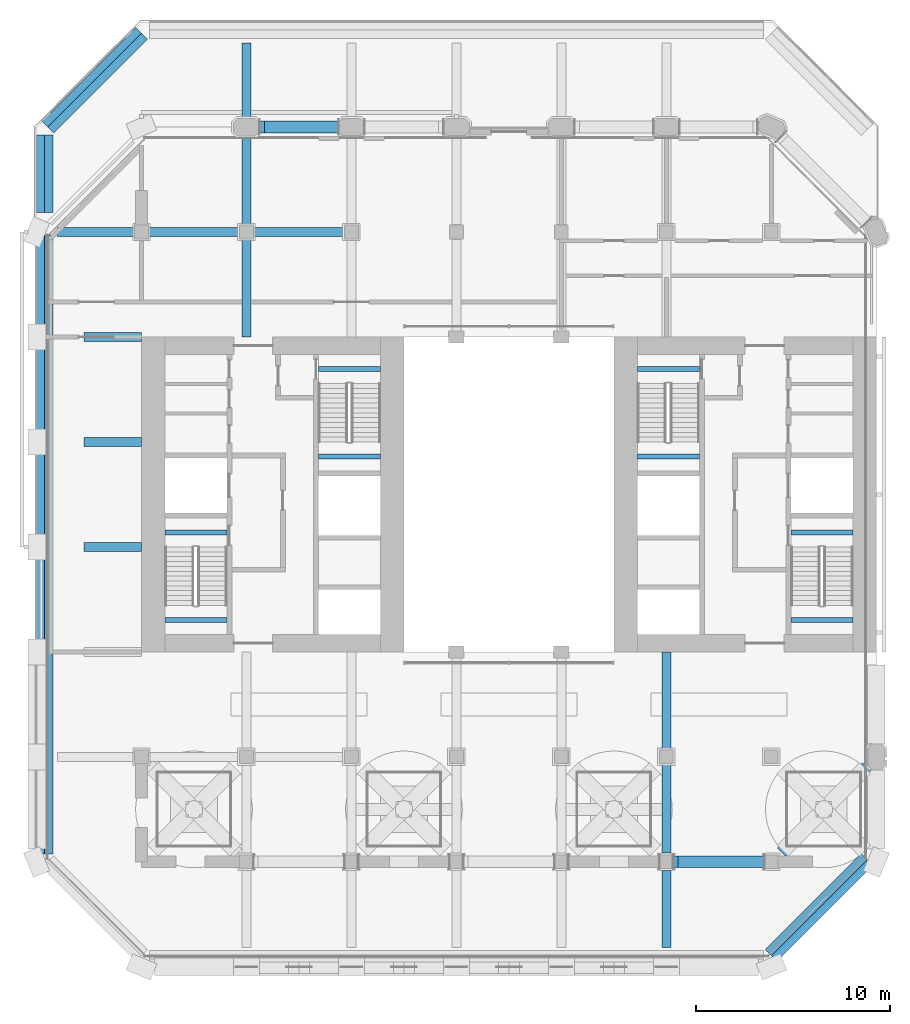
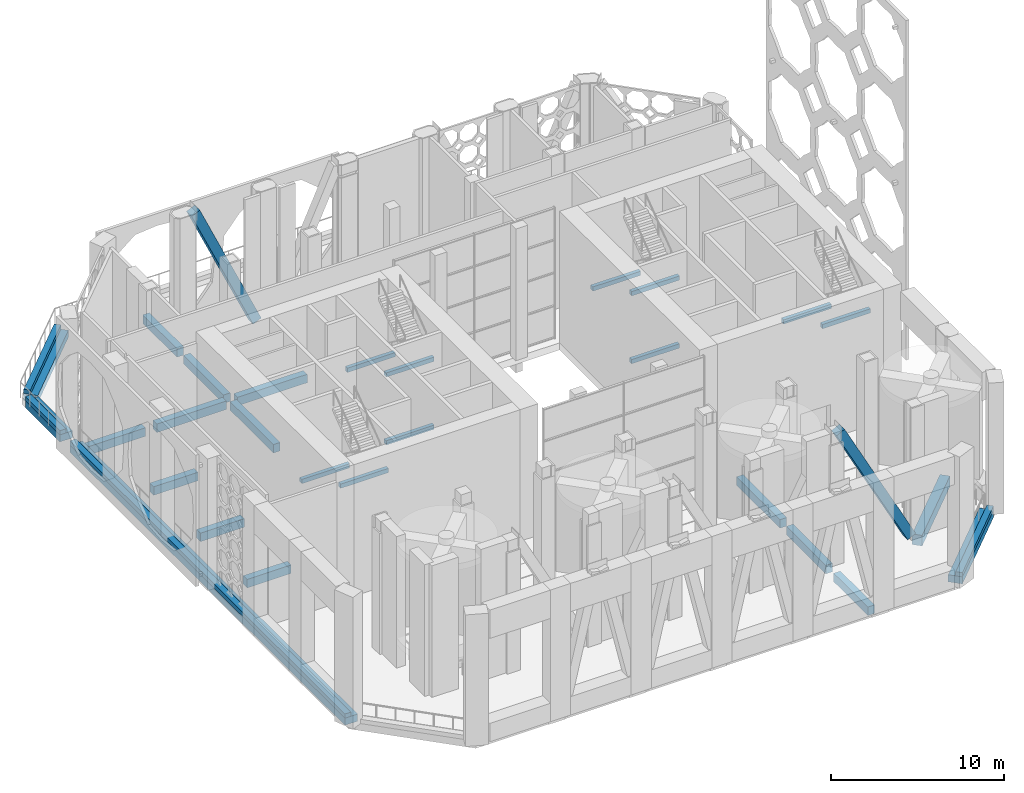
# One storey, part 3 of 28: 31 beams, 2 members.
"""IFC4 building model written with IfcOpenShell, lengths in metres."""

from ifc_helpers import new_model, si_unit, direction, frame, origin, origin_2d, place, context, subcontext, project, spatial, rectangle, extrude, material, material_profile, profile_set, type_object, element, save


model = new_model("IFC4")

# Units and contexts
model_context = context("Model", 3, precision=1e-05, world=origin(), true_north=direction((0.0, 1.0)))
body_context = subcontext(model_context, "Body", "Model", "MODEL_VIEW")
ifc_project = project(units=[si_unit("LENGTHUNIT", "METRE"), si_unit("AREAUNIT", "SQUARE_METRE"), si_unit("VOLUMEUNIT", "CUBIC_METRE"), si_unit("PLANEANGLEUNIT", "RADIAN"), si_unit("MASSUNIT", "GRAM", prefix="KILO")], contexts=[model_context])

# Site, building, storey
site_placement = place(None, origin())
site = spatial("IfcSite", under=ifc_project, at=site_placement, CompositionType="ELEMENT")
building_placement = place(site_placement, origin())
building = spatial("IfcBuilding", under=site, at=building_placement, Name="Tabaq Tower and Sports Hall", CompositionType="ELEMENT")
storey_placement = place(building_placement, frame((0.0, 0.0, 233.5)))
storey = spatial("IfcBuildingStorey", under=building, at=storey_placement, Name="L59", CompositionType="ELEMENT", Elevation=233.5)

# Beams
ifc_material_1 = material(Name="Concrete C40/50", Category="concrete")
ifc_material_profile_1 = material_profile(ifc_material_1, rectangle(XDim=0.449951171875, YDim=0.60009765625, at=origin_2d()), Name="CB 450x600")
ifc_profile_set_1 = profile_set([ifc_material_profile_1], Name="Concrete C40/50")
beam_type_1 = type_object("IfcBeamType", Name="PT CANTILEVER BEAM CB 450x600 C40/50", PredefinedType="BEAM", material=ifc_profile_set_1)
for number, where, z_axis, x_axis, name in (
    (1, (2.449951171875, 21.60009765625, -0.800048828125), (1.0, 0.0, 0.0), (0.0, 1.0, 0.0), "Cantilever Beam L59 W4 span 1"),
    (2, (2.449951171875, 27.0, -0.800048828125), (1.0, 0.0, 0.0), (0.0, 1.0, 0.0), "Cantilever Beam L59 W5 span 1"),
    (3, (2.449951171875, 32.39990234375, -0.800048828125), (1.0, 0.0, 0.0), (0.0, 1.0, 0.0), "Cantilever Beam L59 W6 span 1"),
):
    element("IfcBeam", number, at=place(storey_placement, frame(where, z_axis=z_axis, x_axis=x_axis)), inside=storey, type_object=beam_type_1, Name=name, PredefinedType="BEAM", context=body_context, shape_type="SweptSolid", body=[
        extrude(rectangle(XDim=0.449951171875, YDim=0.60009765625, at=origin_2d()), origin(), (0.0, 0.0, 1.0), 2.949951171875),
    ])
beam_1_placement = place(storey_placement, frame((1.074951171875, 37.800048828125, -0.800048828125), z_axis=(1.0, 0.0, 0.0), x_axis=(0.0, 1.0, 0.0)))
element("IfcBeam", 4, at=beam_1_placement, inside=storey, type_object=beam_type_1, Name="Cantilever Beam L59 W7 span 1", PredefinedType="BEAM", context=body_context, shape_type="SweptSolid", body=[
    extrude(rectangle(XDim=0.449951171875, YDim=0.60009765625, at=origin_2d()), origin(), (0.0, 0.0, 1.0), 3.949951171875),
])
beam_2_placement = place(storey_placement, frame((5.77490234375, 37.800048828125, -0.800048828125), z_axis=(1.0, 0.0, 0.0), x_axis=(0.0, 1.0, 0.0)))
element("IfcBeam", 5, at=beam_2_placement, inside=storey, type_object=beam_type_1, Name="Cantilever Beam L59 W7 span 2", PredefinedType="BEAM", context=body_context, shape_type="SweptSolid", body=[
    extrude(rectangle(XDim=0.449951171875, YDim=0.60009765625, at=origin_2d()), origin(), (0.0, 0.0, 1.0), 4.650146484375),
])
beam_3_placement = place(storey_placement, frame((11.175048828125, 37.800048828125, -0.800048828125), z_axis=(1.0, 0.0, 0.0), x_axis=(0.0, 1.0, 0.0)))
element("IfcBeam", 6, at=beam_3_placement, inside=storey, type_object=beam_type_1, Name="Cantilever Beam L59 W7 span 3", PredefinedType="BEAM", context=body_context, shape_type="SweptSolid", body=[
    extrude(rectangle(XDim=0.449951171875, YDim=0.60009765625, at=origin_2d()), origin(), (0.0, 0.0, 1.0), 4.64990234375),
])
beam_4_placement = place(storey_placement, frame((32.39990234375, 1.0, -0.800048828125), z_axis=(0.0, 1.0, 0.0), x_axis=(-1.0, 0.0, 0.0)))
element("IfcBeam", 7, at=beam_4_placement, inside=storey, type_object=beam_type_1, Name="Cantilever Beam L59 S6 span 1", PredefinedType="BEAM", context=body_context, shape_type="SweptSolid", body=[
    extrude(rectangle(XDim=0.449951171875, YDim=0.60009765625, at=origin_2d()), origin(), (0.0, 0.0, 1.0), 3.949951171875),
])
beam_5_placement = place(storey_placement, frame((32.39990234375, 5.85009765625, -0.800048828125), z_axis=(0.0, 1.0, 0.0), x_axis=(-1.0, 0.0, 0.0)))
element("IfcBeam", 8, at=beam_5_placement, inside=storey, type_object=beam_type_1, Name="Cantilever Beam L59 S6 span 2", PredefinedType="BEAM", context=body_context, shape_type="SweptSolid", body=[
    extrude(rectangle(XDim=0.449951171875, YDim=0.60009765625, at=origin_2d()), origin(), (0.0, 0.0, 1.0), 4.574951171875),
])
beam_6_placement = place(storey_placement, frame((32.39990234375, 11.175048828125, -0.800048828125), z_axis=(0.0, 1.0, 0.0), x_axis=(-1.0, 0.0, 0.0)))
element("IfcBeam", 9, at=beam_6_placement, inside=storey, type_object=beam_type_1, Name="Cantilever Beam L59 S6 span 3", PredefinedType="BEAM", context=body_context, shape_type="SweptSolid", body=[
    extrude(rectangle(XDim=0.449951171875, YDim=0.60009765625, at=origin_2d()), origin(), (0.0, 0.0, 1.0), 5.02490234375),
])
beam_7_placement = place(storey_placement, frame((10.800048828125, 47.52490234375, -0.800048828125), z_axis=(0.0, -1.0, 0.0), x_axis=(1.0, 0.0, 0.0)))
element("IfcBeam", 10, at=beam_7_placement, inside=storey, type_object=beam_type_1, Name="Cantilever Beam L59 N2 span 1", PredefinedType="BEAM", context=body_context, shape_type="SweptSolid", body=[
    extrude(rectangle(XDim=0.449951171875, YDim=0.60009765625, at=origin_2d()), origin(), (0.0, 0.0, 1.0), 3.949951171875),
])
beam_8_placement = place(storey_placement, frame((10.800048828125, 42.824951171875, -0.800048828125), z_axis=(0.0, -1.0, 0.0), x_axis=(1.0, 0.0, 0.0)))
element("IfcBeam", 11, at=beam_8_placement, inside=storey, type_object=beam_type_1, Name="Cantilever Beam L59 N2 span 2", PredefinedType="BEAM", context=body_context, shape_type="SweptSolid", body=[
    extrude(rectangle(XDim=0.449951171875, YDim=0.60009765625, at=origin_2d()), origin(), (0.0, 0.0, 1.0), 4.64990234375),
])
beam_9_placement = place(storey_placement, frame((10.800048828125, 37.425048828125, -0.800048828125), z_axis=(0.0, -1.0, 0.0), x_axis=(1.0, 0.0, 0.0)))
element("IfcBeam", 12, at=beam_9_placement, inside=storey, type_object=beam_type_1, Name="Cantilever Beam L59 N2 span 3", PredefinedType="BEAM", context=body_context, shape_type="SweptSolid", body=[
    extrude(rectangle(XDim=0.449951171875, YDim=0.60009765625, at=origin_2d()), origin(), (0.0, 0.0, 1.0), 5.025146484375),
])
ifc_material_2 = material(Name="Concrete C40/50", Category="concrete")
ifc_material_profile_2 = material_profile(ifc_material_2, rectangle(XDim=0.85009765625, YDim=0.5, at=origin_2d()), Name="EB 850x500")
ifc_profile_set_2 = profile_set([ifc_material_profile_2], Name="Concrete C40/50")
beam_type_2 = type_object("IfcBeamType", Name="PT EDGE BEAM EB 850x500 C40/50", PredefinedType="SPANDREL", material=ifc_profile_set_2)
beam_10_placement = place(storey_placement, frame((0.425048828125, 37.63818359375, -0.25), z_axis=(0.0, -1.0, 0.0), x_axis=(1.0, 0.0, 0.0)))
element("IfcBeam", 13, at=beam_10_placement, inside=storey, type_object=beam_type_2, Name="Edge Beam L59 1", PredefinedType="SPANDREL", context=body_context, shape_type="SweptSolid", body=[
    extrude(rectangle(XDim=0.85009765625, YDim=0.5, at=origin_2d()), origin(), (0.0, 0.0, 1.0), 31.836181640625),
])
beam_11_placement = place(storey_placement, frame((37.78369140625, 0.584716796875, -0.25), z_axis=(0.707106781187, 0.707106781187, 0.0), x_axis=(-0.707106781187, 0.707106781187, 0.0)))
element("IfcBeam", 14, at=beam_11_placement, inside=storey, type_object=beam_type_2, Name="Edge Beam L59 4", PredefinedType="SPANDREL", context=body_context, shape_type="SweptSolid", body=[
    extrude(rectangle(XDim=0.85009765625, YDim=0.5, at=origin_2d()), origin(), (0.0, 0.0, 1.0), 6.98486328125),
])
beam_12_placement = place(storey_placement, frame((5.416259765625, 48.01513671875, -0.25), z_axis=(-0.707124646667, -0.707088915255, 0.0), x_axis=(0.707088915255, -0.707124646667, 0.0)))
element("IfcBeam", 15, at=beam_12_placement, inside=storey, type_object=beam_type_2, Name="Edge Beam L59 7", PredefinedType="SPANDREL", context=body_context, shape_type="SweptSolid", body=[
    extrude(rectangle(XDim=0.85009765625, YDim=0.5, at=origin_2d()), origin(), (0.0, 0.0, 1.0), 6.832763671875),
])
beam_13_placement = place(storey_placement, frame((0.425048828125, 42.7978515625, -0.25), z_axis=(0.0, -1.0, 0.0), x_axis=(1.0, 0.0, 0.0)))
element("IfcBeam", 16, at=beam_13_placement, inside=storey, type_object=beam_type_2, Name="Edge Beam L59 8", PredefinedType="SPANDREL", context=body_context, shape_type="SweptSolid", body=[
    extrude(rectangle(XDim=0.85009765625, YDim=0.5, at=origin_2d()), origin(), (0.0, 0.0, 1.0), 3.98583984375),
])
ifc_material_3 = material(Name="Concrete C40/50", Category="concrete")
ifc_material_profile_3 = material_profile(ifc_material_3, rectangle(XDim=0.39990234375, YDim=0.300048828125, at=origin_2d()), Name="EU 400x300")
ifc_profile_set_3 = profile_set([ifc_material_profile_3], Name="Concrete C40/50")
beam_type_3 = type_object("IfcBeamType", Name="PT EDGE UPSTAND EU 400x300 C40/50", PredefinedType="BEAM", material=ifc_profile_set_3)
beam_14_placement = place(storey_placement, frame((0.199951171875, 37.63818359375, 0.14990234375), z_axis=(0.0, -1.0, 0.0), x_axis=(1.0, 0.0, 0.0)))
element("IfcBeam", 17, at=beam_14_placement, inside=storey, type_object=beam_type_3, Name="Edge Upstand L59 1", PredefinedType="BEAM", context=body_context, shape_type="SweptSolid", body=[
    extrude(rectangle(XDim=0.39990234375, YDim=0.300048828125, at=origin_2d()), origin(), (0.0, 0.0, 1.0), 31.836181640625),
])
beam_15_placement = place(storey_placement, frame((37.94287109375, 0.42578125, 0.14990234375), z_axis=(0.707106781187, 0.707106781187, 0.0), x_axis=(-0.707106781187, 0.707106781187, 0.0)))
element("IfcBeam", 18, at=beam_15_placement, inside=storey, type_object=beam_type_3, Name="Edge Upstand L59 4", PredefinedType="BEAM", context=body_context, shape_type="SweptSolid", body=[
    extrude(rectangle(XDim=0.39990234375, YDim=0.300048828125, at=origin_2d()), origin(), (0.0, 0.0, 1.0), 6.98486328125),
])
beam_16_placement = place(storey_placement, frame((5.257080078125, 48.17431640625, 0.14990234375), z_axis=(-0.707088915255, -0.707124646667, 0.0), x_axis=(0.707124646667, -0.707088915255, 0.0)))
element("IfcBeam", 19, at=beam_16_placement, inside=storey, type_object=beam_type_3, Name="Edge Upstand L59 7", PredefinedType="BEAM", context=body_context, shape_type="SweptSolid", body=[
    extrude(rectangle(XDim=0.39990234375, YDim=0.300048828125, at=origin_2d()), origin(), (0.0, 0.0, 1.0), 6.832763671875),
])
beam_17_placement = place(storey_placement, frame((0.199951171875, 42.7978515625, 0.14990234375), z_axis=(0.0, -1.0, 0.0), x_axis=(1.0, 0.0, 0.0)))
element("IfcBeam", 20, at=beam_17_placement, inside=storey, type_object=beam_type_3, Name="Edge Upstand L59 8", PredefinedType="BEAM", context=body_context, shape_type="SweptSolid", body=[
    extrude(rectangle(XDim=0.39990234375, YDim=0.300048828125, at=origin_2d()), origin(), (0.0, 0.0, 1.0), 3.98583984375),
])
ifc_material_4 = material(Name="Concrete C40/50", Category="concrete")
ifc_material_profile_4 = material_profile(ifc_material_4, rectangle(XDim=0.60009765625, YDim=0.75, at=origin_2d()), Name="TB 600x750")
ifc_profile_set_4 = profile_set([ifc_material_profile_4], Name="Concrete C40/50")
beam_type_4 = type_object("IfcBeamType", Name="PT TRIMMER BEAM TB 600x750 C40/50", PredefinedType="BEAM", material=ifc_profile_set_4)
beam_18_placement = place(storey_placement, frame((38.3017578125, 5.90185546875, -0.875), z_axis=(0.707126414588, 0.70708714724, 0.0), x_axis=(-0.70708714724, 0.707126414588, 0.0)))
element("IfcBeam", 21, at=beam_18_placement, inside=storey, type_object=beam_type_4, Name="Turbine Trimmer Beam 4", PredefinedType="BEAM", context=body_context, shape_type="SweptSolid", body=[
    extrude(rectangle(XDim=0.60009765625, YDim=0.75, at=origin_2d()), origin(), (0.0, 0.0, 1.0), 6.21728515625),
])

# Members
ifc_material_5 = material(Name="Concrete C40/50", Category="concrete")
ifc_material_profile_5 = material_profile(ifc_material_5, rectangle(XDim=0.60009765625, YDim=0.60009765625, at=origin_2d()), Name="BELT STRUT 600x600")
ifc_profile_set_5 = profile_set([ifc_material_profile_5], Name="Concrete C40/50")
member_type = type_object("IfcMemberType", Name="RC BELT TRUSS STRUT BELT STRUT 600x600 C40/50", PredefinedType="BRACE", material=ifc_profile_set_5)
member_1_placement = place(storey_placement, frame((15.554931640625, 43.199951171875, 0.1240234375), z_axis=(-0.41341249838, 0.0, 0.910543851873), x_axis=(0.0, -1.0, 0.0)))
element("IfcMember", 22, at=member_1_placement, inside=storey, type_object=member_type, Name="Belt Truss Strut L59 5", PredefinedType="BRACE", context=body_context, shape_type="SweptSolid", body=[
    extrude(rectangle(XDim=0.60009765625, YDim=0.60009765625, at=origin_2d()), origin(), (0.0, 0.0, 1.0), 9.94140625),
])
member_2_placement = place(storey_placement, frame((37.47998046875, 5.39990234375, 0.14013671875), z_axis=(-0.466725853903, 0.0, 0.884402045056), x_axis=(0.0, -1.0, 0.0)))
element("IfcMember", 23, at=member_2_placement, inside=storey, type_object=member_type, Name="Belt Truss Strut L59 10", PredefinedType="BRACE", context=body_context, shape_type="SweptSolid", body=[
    extrude(rectangle(XDim=0.60009765625, YDim=0.60009765625, at=origin_2d()), origin(), (0.0, 0.0, 1.0), 10.19873046875),
])

# Beams
ifc_material_6 = material(Name="Concrete C40/50", Category="concrete")
ifc_material_profile_6 = material_profile(ifc_material_6, rectangle(XDim=0.25, YDim=0.300048828125, at=origin_2d()), Name="RC 250x300")
ifc_profile_set_6 = profile_set([ifc_material_profile_6], Name="Concrete C40/50")
beam_type_5 = type_object("IfcBeamType", Name="Stair landing beam 250x300", PredefinedType="BEAM", material=ifc_profile_set_6)
for number, where, z_axis, x_axis, name in (
    (24, (6.60009765625, 22.35009765625, 4.449951171875), (1.0, 0.0, 0.0), (0.0, 1.0, 0.0), "L59 ST1 landing beam 2"),
    (25, (6.60009765625, 17.85009765625, 6.85009765625), (1.0, 0.0, 0.0), (0.0, 1.0, 0.0), "L59 ST1 landing beam 3"),
    (26, (14.5, 26.25, 2.050048828125), (1.0, 0.0, 0.0), (0.0, 1.0, 0.0), "L59 ST2 landing beam 1"),
    (27, (14.5, 30.75, 4.449951171875), (1.0, 0.0, 0.0), (0.0, 1.0, 0.0), "L59 ST2 landing beam 2"),
    (28, (14.5, 26.25, 6.85009765625), (1.0, 0.0, 0.0), (0.0, 1.0, 0.0), "L59 ST2 landing beam 3"),
    (29, (38.800048828125, 22.35009765625, 4.449951171875), (1.0, 0.0, 0.0), (0.0, 1.0, 0.0), "L59 ST3 landing beam 2"),
    (30, (38.800048828125, 17.85009765625, 6.85009765625), (1.0, 0.0, 0.0), (0.0, 1.0, 0.0), "L59 ST3 landing beam 3"),
):
    element("IfcBeam", number, at=place(storey_placement, frame(where, z_axis=z_axis, x_axis=x_axis)), inside=storey, type_object=beam_type_5, Name=name, PredefinedType="BEAM", context=body_context, shape_type="SweptSolid", body=[
        extrude(rectangle(XDim=0.25, YDim=0.300048828125, at=origin_2d()), origin(), (0.0, 0.0, 1.0), 3.199951171875),
    ])
for number, where, z_axis, x_axis, name in (
    (31, (30.89990234375, 26.25, 2.050048828125), (1.0, 0.0, 0.0), (0.0, 1.0, 0.0), "L59 ST4 landing beam 1"),
    (32, (30.89990234375, 30.75, 4.449951171875), (1.0, 0.0, 0.0), (0.0, 1.0, 0.0), "L59 ST4 landing beam 2"),
    (33, (30.89990234375, 26.25, 6.85009765625), (1.0, 0.0, 0.0), (0.0, 1.0, 0.0), "L59 ST4 landing beam 3"),
):
    element("IfcBeam", number, at=place(storey_placement, frame(where, z_axis=z_axis, x_axis=x_axis)), inside=storey, type_object=beam_type_5, Name=name, PredefinedType="BEAM", context=body_context, shape_type="SweptSolid", body=[
        extrude(rectangle(XDim=0.25, YDim=0.300048828125, at=origin_2d()), origin(), (0.0, 0.0, 1.0), 3.2001953125),
    ])

save(model, "model.ifc")
